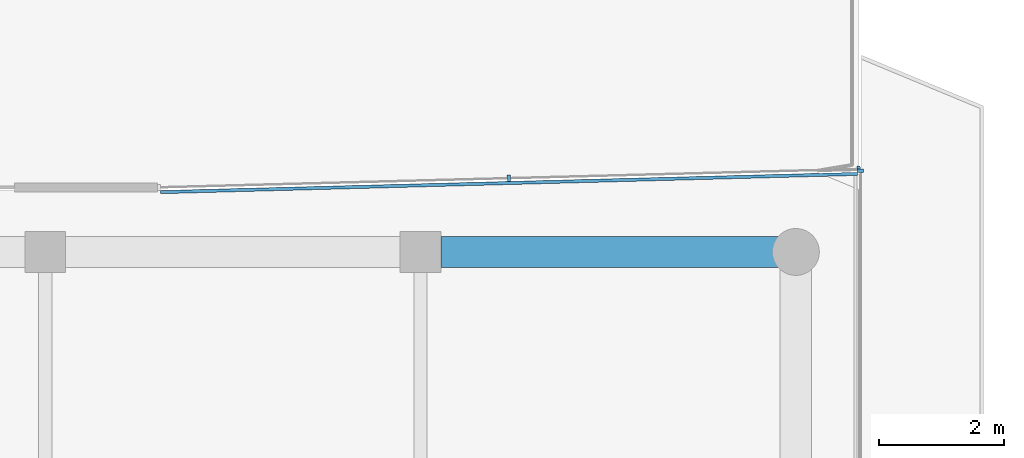
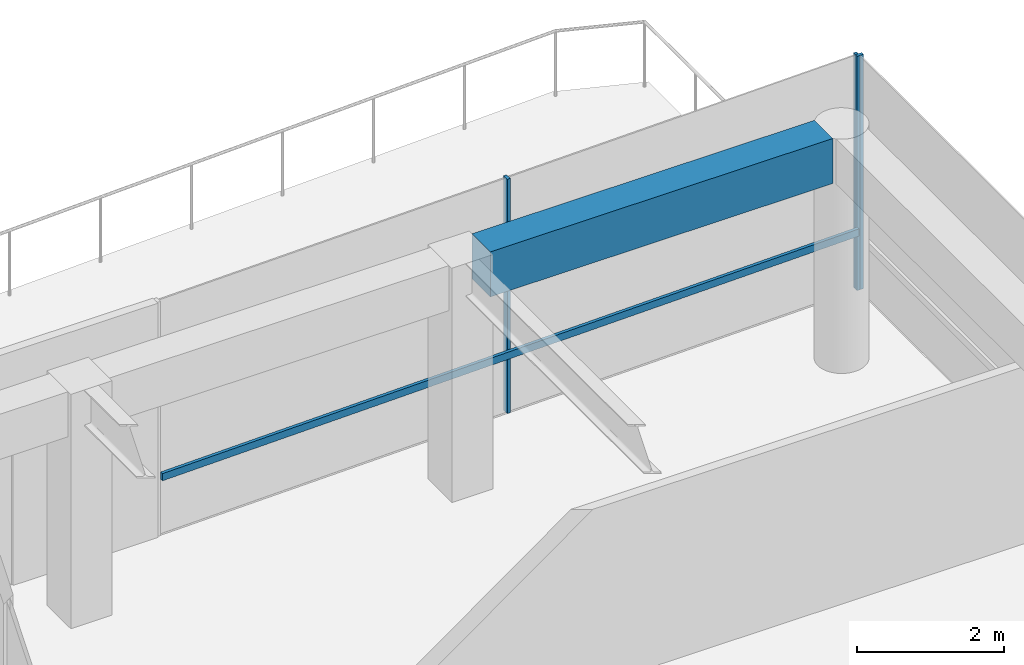
# One storey, part 14 of 20: 4 members, 1 beam, 2 elements without a shape of their own.
"""IFC4 building model written with IfcOpenShell, lengths in metres."""

from ifc_helpers import new_model, si_unit, direction, frame, origin, origin_2d, place, context, subcontext, project, spatial, rectangle, extrude, material, layer, layer_set, material_profile, profile_set, type_object, element, aggregate, save


model = new_model("IFC4")

# Units and contexts
model_context = context("Model", 3, precision=1e-05, world=origin(), true_north=direction((0.0, 1.0)))
body_context = subcontext(model_context, "Body", "Model", "MODEL_VIEW")
ifc_project = project(units=[si_unit("LENGTHUNIT", "METRE"), si_unit("AREAUNIT", "SQUARE_METRE"), si_unit("VOLUMEUNIT", "CUBIC_METRE"), si_unit("PLANEANGLEUNIT", "RADIAN"), si_unit("MASSUNIT", "GRAM", prefix="KILO")], contexts=[model_context])

# Site, building, storey
site_placement = place(None, origin())
site = spatial("IfcSite", under=ifc_project, at=site_placement, CompositionType="ELEMENT")
building_placement = place(site_placement, origin())
building = spatial("IfcBuilding", under=site, at=building_placement, Name="Welwitschia Terrace Campus", CompositionType="ELEMENT")
storey_placement = place(building_placement, frame((0.0, 0.0, 327.199951171875)))
storey = spatial("IfcBuildingStorey", under=building, at=storey_placement, Name="L73", CompositionType="ELEMENT", Elevation=327.199951171875)

# Curtain wall, member
ifc_material_1 = material(Name="Bronze anodised aluminium", Category="aluminium")
ifc_layer = layer(ifc_material_1, 0.10009765625)
ifc_layer_set = layer_set([ifc_layer], Name="Bronze anodised aluminium")
curtain_wall_type = type_object("IfcCurtainWallType", Name="Curtain wall CW5 crown 6000", PredefinedType="NOTDEFINED", material=ifc_layer_set)
curtain_wall_1_placement = place(storey_placement, origin())
curtain_wall_1 = element("IfcCurtainWall", 1, at=curtain_wall_1_placement, inside=storey, type_object=curtain_wall_type, Name="CW L73.7.0", PredefinedType="NOTDEFINED")
ifc_material_2 = material(Name="Bronze anodised aluminium", Category="aluminium")
ifc_material_profile_1 = material_profile(ifc_material_2, rectangle(XDim=0.10009765625, YDim=0.050048828125, at=origin_2d()))
ifc_profile_set_1 = profile_set([ifc_material_profile_1], Name="Bronze anodised aluminium")
member_type_1 = type_object("IfcMemberType", Name="Mullion 50x100", PredefinedType="MULLION", material=ifc_profile_set_1)
member_1_placement = place(storey_placement, frame((25.030029296875, 45.29931640625, 0.0), z_axis=(0.0, 0.0, 1.0), x_axis=(-1.0, 0.0, 0.0)))
member_1 = element("IfcMember", 2, at=member_1_placement, type_object=member_type_1, Name="Mullion L73.7.0.4", PredefinedType="MULLION", context=body_context, shape_type="SweptSolid", body=[
    extrude(rectangle(XDim=0.10009765625, YDim=0.050048828125, at=origin_2d()), origin(), (0.0, 0.0, 1.0), 3.900146484375),
])
aggregate(curtain_wall_1, [member_1])

# Curtain wall, members
curtain_wall_2_placement = place(storey_placement, origin())
curtain_wall_2 = element("IfcCurtainWall", 3, at=curtain_wall_2_placement, inside=storey, type_object=curtain_wall_type, Name="CW L73.8.0", PredefinedType="NOTDEFINED")
member_2_placement = place(storey_placement, frame((25.005126953125, 45.32373046875, 0.0), z_axis=(0.0, 0.0, 1.0), x_axis=(0.026176948308, -0.999657324976, 0.0)))
member_2 = element("IfcMember", 4, at=member_2_placement, type_object=member_type_1, Name="Mullion L73.8.0.0", PredefinedType="MULLION", context=body_context, shape_type="SweptSolid", body=[
    extrude(rectangle(XDim=0.10009765625, YDim=0.050048828125, at=origin_2d()), origin(), (0.0, 0.0, 1.0), 3.900146484375),
])
member_3_placement = place(storey_placement, frame((19.4111328125, 45.17724609375, 0.0), z_axis=(0.0, 0.0, 1.0), x_axis=(0.026176948308, -0.999657324976, 0.0)))
member_3 = element("IfcMember", 5, at=member_3_placement, type_object=member_type_1, Name="Mullion L73.8.0.1", PredefinedType="MULLION", context=body_context, shape_type="SweptSolid", body=[
    extrude(rectangle(XDim=0.10009765625, YDim=0.050048828125, at=origin_2d()), origin(), (0.0, 0.0, 1.0), 3.900146484375),
])

# Beam
ifc_material_3 = material(Name="Concrete C40/50", Category="concrete")
ifc_material_profile_2 = material_profile(ifc_material_3, rectangle(XDim=0.5, YDim=0.75, at=origin_2d()))
ifc_profile_set_2 = profile_set([ifc_material_profile_2], Name="Concrete C40/50")
beam_type = type_object("IfcBeamType", Name="Ring spandrel 500x750", PredefinedType="SPANDREL", material=ifc_profile_set_2)
beam_placement = place(storey_placement, frame((23.719482421875, 44.0, 3.525146484375), z_axis=(-1.0, 0.0, 0.0), x_axis=(0.0, -1.0, 0.0)))
element("IfcBeam", 6, at=beam_placement, inside=storey, type_object=beam_type, Name="Spandrel SP5", PredefinedType="SPANDREL", context=body_context, shape_type="SweptSolid", body=[
    extrude(rectangle(XDim=0.5, YDim=0.75, at=origin_2d()), origin(), (0.0, 0.0, 1.0), 5.39404296875),
])

# Member
ifc_material_4 = material(Name="Bronze anodised aluminium", Category="aluminium")
ifc_material_profile_3 = material_profile(ifc_material_4, rectangle(XDim=0.050048828125, YDim=0.1201171875, at=origin_2d()))
ifc_profile_set_3 = profile_set([ifc_material_profile_3], Name="Bronze anodised aluminium")
member_type_2 = type_object("IfcMemberType", Name="Transom 50x120", PredefinedType="USERDEFINED", material=ifc_profile_set_3)
member_4_placement = place(storey_placement, frame((24.98193359375, 45.248046875, 1.0), z_axis=(-0.999657111597, -0.026185095644, 0.0), x_axis=(0.026185095644, -0.999657111597, 0.0)))
member_4 = element("IfcMember", 7, at=member_4_placement, type_object=member_type_2, Name="Transom L73.8.0", ObjectType="TRANSOM", PredefinedType="USERDEFINED", context=body_context, shape_type="SweptSolid", body=[
    extrude(rectangle(XDim=0.050048828125, YDim=0.1201171875, at=origin_2d()), origin(), (0.0, 0.0, 1.0), 11.141845703125),
])

aggregate(curtain_wall_2, [member_2, member_3, member_4])

save(model, "model.ifc")
